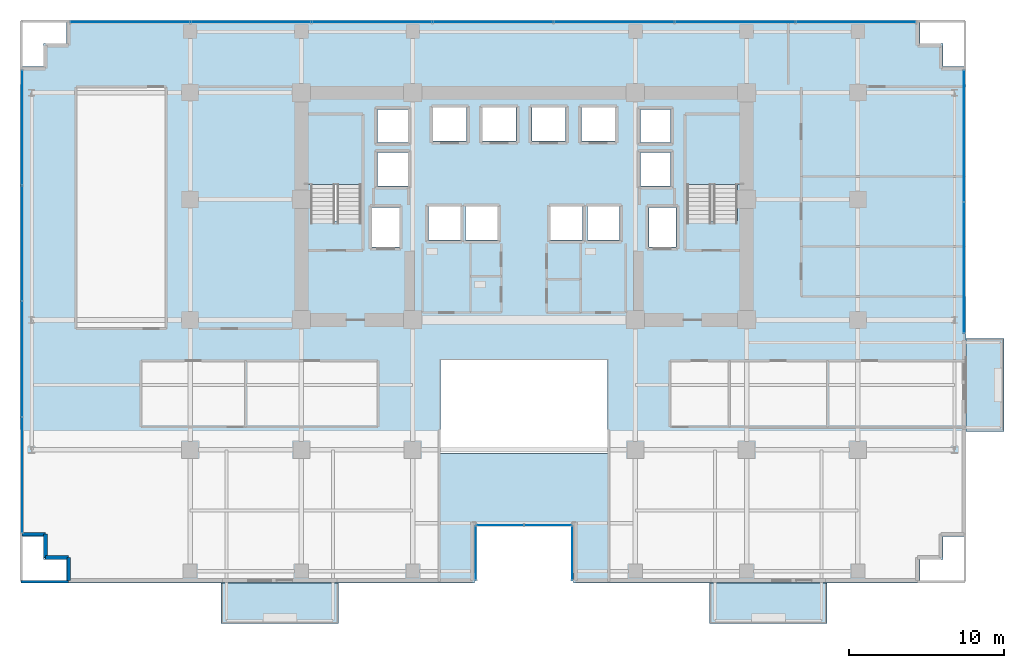
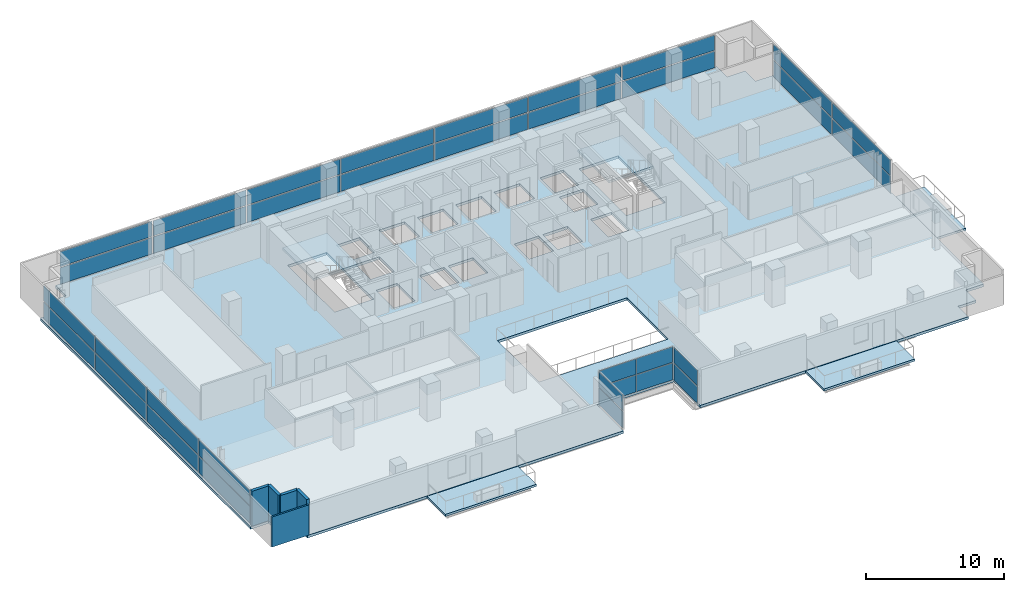
# One storey, part 21 of 30: 34 plates, 6 slabs, 5 walls, 8 elements without a shape of their own.
"""IFC4 building model written with IfcOpenShell, lengths in metres."""

from ifc_helpers import new_model, si_unit, direction, frame, frame_2d, origin, origin_2d, place, context, subcontext, project, spatial, polyline, rectangle, outline, extrude, source, transform, mapped, material, layer, layer_set, type_object, element, aggregate, save


model = new_model("IFC4")

# Units and contexts
model_context = context("Model", 3, precision=1e-05, world=origin(), true_north=direction((0.0, 1.0)))
body_context = subcontext(model_context, "Body", "Model", "MODEL_VIEW")
ifc_project = project(units=[si_unit("LENGTHUNIT", "METRE"), si_unit("AREAUNIT", "SQUARE_METRE"), si_unit("VOLUMEUNIT", "CUBIC_METRE"), si_unit("PLANEANGLEUNIT", "RADIAN"), si_unit("MASSUNIT", "GRAM", prefix="KILO")], contexts=[model_context])

# Site, building, storey
site_placement = place(None, origin())
site = spatial("IfcSite", under=ifc_project, at=site_placement, CompositionType="ELEMENT")
building_placement = place(site_placement, origin())
building = spatial("IfcBuilding", under=site, at=building_placement, Name="Zarnakvel Exchange Tower", CompositionType="ELEMENT")
storey_placement = place(building_placement, frame((0.0, 0.0, 43.89990234375)))
storey = spatial("IfcBuildingStorey", under=building, at=storey_placement, Name="L11", CompositionType="ELEMENT", Elevation=43.89990234375)

# Stair, slab
ifc_material_1 = material(Name="Concrete C40/50", Category="concrete")
stair_type = type_object("IfcStairType", Name="STR-01", PredefinedType="HALF_TURN_STAIR", material=ifc_material_1)
stair_1_placement = place(storey_placement, origin())
stair_1 = element("IfcStair", 1, at=stair_1_placement, inside=storey, type_object=stair_type, Name="L11 Protected Core Exit Stair ST-01", PredefinedType="HALF_TURN_STAIR")
ifc_layer_1 = layer(ifc_material_1, 0.199951171875)
ifc_layer_set_1 = layer_set([ifc_layer_1], Name="Concrete C40/50")
slab_type_1 = type_object("IfcSlabType", Name="LDG-01", PredefinedType="LANDING", material=ifc_layer_set_1)
slab_1_placement = place(storey_placement, frame((0.0, 0.0, 1.4501953125)))
slab_1 = element("IfcSlab", 2, at=slab_1_placement, type_object=slab_type_1, Name="ST-01 landing 1", PredefinedType="LANDING", context=body_context, shape_type="SweptSolid", body=[
    extrude(outline(polyline([(-14.18994140625, 7.570068359375), (-10.4599609375, 7.570068359375), (-10.4599609375, 12.080078125), (-14.18994140625, 12.080078125), (-14.18994140625, 7.570068359375)])), origin(), (0.0, 0.0, 1.0), 0.199951171875),
])
aggregate(stair_1, [slab_1])

stair_2_placement = place(storey_placement, origin())
stair_2 = element("IfcStair", 3, at=stair_2_placement, inside=storey, type_object=stair_type, Name="L11 Protected Core Exit Stair ST-02", PredefinedType="HALF_TURN_STAIR")
slab_2_placement = place(storey_placement, frame((0.0, 0.0, 1.4501953125)))
slab_2 = element("IfcSlab", 4, at=slab_2_placement, type_object=slab_type_1, Name="ST-02 landing 1", PredefinedType="LANDING", context=body_context, shape_type="SweptSolid", body=[
    extrude(outline(polyline([(10.4599609375, 7.570068359375), (14.18994140625, 7.570068359375), (14.18994140625, 12.080078125), (10.4599609375, 12.080078125), (10.4599609375, 7.570068359375)])), origin(), (0.0, 0.0, 1.0), 0.199951171875),
])
aggregate(stair_2, [slab_2])

# Slabs
ifc_layer_2 = layer(ifc_material_1, 0.22509765625)
ifc_layer_set_2 = layer_set([ifc_layer_2], Name="Concrete C40/50")
slab_type_2 = type_object("IfcSlabType", Name="SL-04", PredefinedType="FLOOR", material=ifc_layer_set_2)
slab_3_placement = place(storey_placement, frame((0.0, 0.0, -0.224853515625)))
element("IfcSlab", 5, at=slab_3_placement, inside=storey, type_object=slab_type_2, Name="L11 Primary Structural Floor Slab", PredefinedType="FLOOR", context=body_context, shape_type="SweptSolid", body=[
    extrude(outline(polyline([(-32.60009765625, -15.199951171875), (-31.10009765625, -15.199951171875), (-31.10009765625, -16.699951171875), (-29.60009765625, -16.699951171875), (-29.60009765625, -18.199951171875), (-3.199951171875, -18.199951171875), (-3.199951171875, -14.39990234375), (3.199951171875, -14.39990234375), (3.199951171875, -18.199951171875), (25.60009765625, -18.199951171875), (25.60009765625, -16.699951171875), (27.10009765625, -16.699951171875), (27.10009765625, -15.199951171875), (28.60009765625, -15.199951171875), (28.60009765625, 15.199951171875), (27.10009765625, 15.199951171875), (27.10009765625, 16.699951171875), (25.60009765625, 16.699951171875), (25.60009765625, 18.199951171875), (-29.60009765625, 18.199951171875), (-29.60009765625, 16.699951171875), (-31.10009765625, 16.699951171875), (-31.10009765625, 15.199951171875), (-32.60009765625, 15.199951171875), (-32.60009765625, -15.199951171875)]), holes=[polyline([(-5.39990234375, -9.800048828125), (5.39990234375, -9.800048828125), (5.39990234375, -3.800048828125), (-5.39990234375, -3.800048828125), (-5.39990234375, -9.800048828125)]), polyline([(-13.800048828125, 5.2099609375), (-10.5400390625, 5.2099609375), (-10.5400390625, 12.0), (-13.800048828125, 12.0), (-13.800048828125, 5.2099609375)]), polyline([(10.5400390625, 5.2099609375), (13.800048828125, 5.2099609375), (13.800048828125, 12.0), (10.5400390625, 12.0), (10.5400390625, 5.2099609375)]), polyline([(-9.830078125, 3.52001953125), (-8.070068359375, 3.52001953125), (-8.070068359375, 6.080078125), (-9.830078125, 6.080078125), (-9.830078125, 3.52001953125)]), polyline([(8.070068359375, 3.52001953125), (9.830078125, 3.52001953125), (9.830078125, 6.080078125), (8.070068359375, 6.080078125), (8.070068359375, 3.52001953125)]), polyline([(-5.8798828125, 10.3701171875), (-3.719970703125, 10.3701171875), (-3.719970703125, 12.530029296875), (-5.8798828125, 12.530029296875), (-5.8798828125, 10.3701171875)]), polyline([(-2.679931640625, 10.3701171875), (-0.52001953125, 10.3701171875), (-0.52001953125, 12.530029296875), (-2.679931640625, 12.530029296875), (-2.679931640625, 10.3701171875)]), polyline([(0.52001953125, 10.3701171875), (2.679931640625, 10.3701171875), (2.679931640625, 12.530029296875), (0.52001953125, 12.530029296875), (0.52001953125, 10.3701171875)]), polyline([(3.719970703125, 10.3701171875), (5.8798828125, 10.3701171875), (5.8798828125, 12.530029296875), (3.719970703125, 12.530029296875), (3.719970703125, 10.3701171875)]), polyline([(-6.179931640625, 3.969970703125), (-4.1201171875, 3.969970703125), (-4.1201171875, 6.1298828125), (-6.179931640625, 6.1298828125), (-6.179931640625, 3.969970703125)]), polyline([(-3.780029296875, 3.969970703125), (-1.719970703125, 3.969970703125), (-1.719970703125, 6.1298828125), (-3.780029296875, 6.1298828125), (-3.780029296875, 3.969970703125)]), polyline([(1.719970703125, 3.969970703125), (3.780029296875, 3.969970703125), (3.780029296875, 6.1298828125), (1.719970703125, 6.1298828125), (1.719970703125, 3.969970703125)]), polyline([(4.1201171875, 3.969970703125), (6.179931640625, 3.969970703125), (6.179931640625, 6.1298828125), (4.1201171875, 6.1298828125), (4.1201171875, 3.969970703125)]), polyline([(-9.47998046875, 7.469970703125), (-7.52001953125, 7.469970703125), (-7.52001953125, 9.6298828125), (-9.47998046875, 9.6298828125), (-9.47998046875, 7.469970703125)]), polyline([(-9.47998046875, 10.27001953125), (-7.52001953125, 10.27001953125), (-7.52001953125, 12.429931640625), (-9.47998046875, 12.429931640625), (-9.47998046875, 10.27001953125)]), polyline([(7.52001953125, 7.469970703125), (9.47998046875, 7.469970703125), (9.47998046875, 9.6298828125), (7.52001953125, 9.6298828125), (7.52001953125, 7.469970703125)]), polyline([(7.52001953125, 10.27001953125), (9.47998046875, 10.27001953125), (9.47998046875, 12.429931640625), (7.52001953125, 12.429931640625), (7.52001953125, 10.27001953125)])]), origin(), (0.0, 0.0, 1.0), 0.224853515625),
])
ifc_layer_3 = layer(ifc_material_1, 0.18994140625)
ifc_layer_set_3 = layer_set([ifc_layer_3], Name="Concrete C40/50")
slab_type_3 = type_object("IfcSlabType", Name="SL-08", PredefinedType="USERDEFINED", material=ifc_layer_set_3)
slab_4_placement = place(storey_placement, frame((0.0, 0.0, -0.224853515625)))
element("IfcSlab", 6, at=slab_4_placement, inside=storey, type_object=slab_type_3, Name="L11 Planted Loggia Balcony Slab BAL-L11-SW", ObjectType="BALCONY", PredefinedType="USERDEFINED", context=body_context, shape_type="SweptSolid", body=[
    extrude(outline(polyline([(-19.60009765625, -20.85009765625), (-12.0, -20.85009765625), (-12.0, -18.199951171875), (-19.60009765625, -18.199951171875), (-19.60009765625, -20.85009765625)])), origin(), (0.0, 0.0, 1.0), 0.18994140625),
])
slab_5_placement = place(storey_placement, frame((0.0, 0.0, -0.224853515625)))
element("IfcSlab", 7, at=slab_5_placement, inside=storey, type_object=slab_type_3, Name="L11 Planted Loggia Balcony Slab BAL-L11-SE", ObjectType="BALCONY", PredefinedType="USERDEFINED", context=body_context, shape_type="SweptSolid", body=[
    extrude(outline(polyline([(12.0, -20.85009765625), (19.60009765625, -20.85009765625), (19.60009765625, -18.199951171875), (12.0, -18.199951171875), (12.0, -20.85009765625)])), origin(), (0.0, 0.0, 1.0), 0.18994140625),
])
slab_6_placement = place(storey_placement, frame((0.0, 0.0, -0.224853515625)))
element("IfcSlab", 8, at=slab_6_placement, inside=storey, type_object=slab_type_3, Name="L11 Planted Loggia Balcony Slab BAL-L11-E", ObjectType="BALCONY", PredefinedType="USERDEFINED", context=body_context, shape_type="SweptSolid", body=[
    extrude(outline(polyline([(28.60009765625, -8.39990234375), (31.050048828125, -8.39990234375), (31.050048828125, -2.39990234375), (28.60009765625, -2.39990234375), (28.60009765625, -8.39990234375)])), origin(), (0.0, 0.0, 1.0), 0.18994140625),
])

# Curtain wall, plate
ifc_material_2 = material(Name="Architectural Bronze Anodised Aluminium", Category="aluminium")
ifc_layer_4 = layer(ifc_material_2, 0.179931640625)
ifc_layer_set_4 = layer_set([ifc_layer_4], Name="Architectural Bronze Anodised Aluminium")
curtain_wall_type_1 = type_object("IfcCurtainWallType", Name="CW-05", PredefinedType="NOTDEFINED", material=ifc_layer_set_4)
curtain_wall_1_placement = place(storey_placement, origin())
curtain_wall_1 = element("IfcCurtainWall", 9, at=curtain_wall_1_placement, inside=storey, type_object=curtain_wall_type_1, Name="L11 Curtain Wall CW-L11-SLW (CW-05)", PredefinedType="NOTDEFINED")
ifc_material_3 = material(Name="Double Low-E Laminated Vision Glass", Category="glass")
ifc_layer_5 = layer(ifc_material_3, 0.02587890625)
ifc_layer_set_5 = layer_set([ifc_layer_5], Name="Double Low-E Laminated Vision Glass")
plate_type_1 = type_object("IfcPlateType", Name="CWP-05", PredefinedType="CURTAIN_PANEL", material=ifc_layer_set_5)
shared_shape_1 = source(origin(), body_context, "Body", "SweptSolid", [
    extrude(rectangle(XDim=3.4599609375, YDim=0.02587890625, at=origin_2d()), origin(), (0.0, 0.0, 1.0), 1.483642578125),
])
plate_1_placement = place(storey_placement, frame((-3.1201171875, -16.280029296875, 0.0703125), z_axis=(0.0, 0.0, 1.0), x_axis=(0.0, 1.0, 0.0)))
plate_1 = element("IfcPlate", 10, at=plate_1_placement, type_object=plate_type_1, Name="CW-05 panel 1.1", PredefinedType="CURTAIN_PANEL", context=body_context, shape_type="MappedRepresentation", body=[
    mapped(shared_shape_1, transform((0.0, 0.0, 0.0), x_axis=(1.0, 0.0, 0.0), y_axis=(0.0, 1.0, 0.0), z_axis=(0.0, 0.0, 1.0), scale=1.0)),
])

curtain_wall_2_placement = place(storey_placement, origin())
curtain_wall_2 = element("IfcCurtainWall", 11, at=curtain_wall_2_placement, inside=storey, type_object=curtain_wall_type_1, Name="L11 Curtain Wall CW-L11-SLE (CW-05)", PredefinedType="NOTDEFINED")
plate_2_placement = place(storey_placement, frame((3.1201171875, -16.280029296875, 0.0703125), z_axis=(0.0, 0.0, 1.0), x_axis=(0.0, -1.0, 0.0)))
plate_2 = element("IfcPlate", 12, at=plate_2_placement, type_object=plate_type_1, Name="CW-05 panel 1.1", PredefinedType="CURTAIN_PANEL", context=body_context, shape_type="MappedRepresentation", body=[
    mapped(shared_shape_1, transform((0.0, 0.0, 0.0), x_axis=(1.0, 0.0, 0.0), y_axis=(0.0, 1.0, 0.0), z_axis=(0.0, 0.0, 1.0), scale=1.0)),
])

# Plate
shared_shape_2 = source(origin(), body_context, "Body", "SweptSolid", [
    extrude(rectangle(XDim=3.4599609375, YDim=0.02587890625, at=origin_2d()), origin(), (0.0, 0.0, 1.0), 1.361328125),
])
plate_3_placement = place(storey_placement, frame((-3.1201171875, -16.280029296875, 1.623779296875), z_axis=(0.0, 0.0, 1.0), x_axis=(0.0, 1.0, 0.0)))
plate_3 = element("IfcPlate", 13, at=plate_3_placement, type_object=plate_type_1, Name="CW-05 panel 1.2", PredefinedType="CURTAIN_PANEL", context=body_context, shape_type="MappedRepresentation", body=[
    mapped(shared_shape_2, transform((0.0, 0.0, 0.0), x_axis=(1.0, 0.0, 0.0), y_axis=(0.0, 1.0, 0.0), z_axis=(0.0, 0.0, 1.0), scale=1.0)),
])

aggregate(curtain_wall_1, [plate_1, plate_3])

plate_4_placement = place(storey_placement, frame((3.1201171875, -16.280029296875, 1.623779296875), z_axis=(0.0, 0.0, 1.0), x_axis=(0.0, -1.0, 0.0)))
plate_4 = element("IfcPlate", 14, at=plate_4_placement, type_object=plate_type_1, Name="CW-05 panel 1.2", PredefinedType="CURTAIN_PANEL", context=body_context, shape_type="MappedRepresentation", body=[
    mapped(shared_shape_2, transform((0.0, 0.0, 0.0), x_axis=(1.0, 0.0, 0.0), y_axis=(0.0, 1.0, 0.0), z_axis=(0.0, 0.0, 1.0), scale=1.0)),
])

aggregate(curtain_wall_2, [plate_2, plate_4])

# Curtain wall, plates
curtain_wall_3_placement = place(storey_placement, origin())
curtain_wall_3 = element("IfcCurtainWall", 15, at=curtain_wall_3_placement, inside=storey, type_object=curtain_wall_type_1, Name="L11 Curtain Wall CW-L11-SLB (CW-05)", PredefinedType="NOTDEFINED")
shared_shape_3 = source(origin(), body_context, "Body", "SweptSolid", [
    extrude(rectangle(XDim=3.014892578125, YDim=0.02587890625, at=origin_2d()), origin(), (0.0, 0.0, 1.0), 1.483642578125),
])
plate_5_placement = place(storey_placement, frame((-1.54248046875, -14.47998046875, 0.0703125), z_axis=(0.0, 0.0, 1.0), x_axis=(1.0, 0.0, 0.0)))
plate_5 = element("IfcPlate", 16, at=plate_5_placement, type_object=plate_type_1, Name="CW-05 panel 1.1", PredefinedType="CURTAIN_PANEL", context=body_context, shape_type="MappedRepresentation", body=[
    mapped(shared_shape_3, transform((0.0, 0.0, 0.0), x_axis=(1.0, 0.0, 0.0), y_axis=(0.0, 1.0, 0.0), z_axis=(0.0, 0.0, 1.0), scale=1.0)),
])
plate_6_placement = place(storey_placement, frame((1.54248046875, -14.47998046875, 0.0703125), z_axis=(0.0, 0.0, 1.0), x_axis=(1.0, 0.0, 0.0)))
plate_6 = element("IfcPlate", 17, at=plate_6_placement, type_object=plate_type_1, Name="CW-05 panel 2.1", PredefinedType="CURTAIN_PANEL", context=body_context, shape_type="MappedRepresentation", body=[
    mapped(shared_shape_3, transform((0.0, 0.0, 0.0), x_axis=(1.0, 0.0, 0.0), y_axis=(0.0, 1.0, 0.0), z_axis=(0.0, 0.0, 1.0), scale=1.0)),
])
shared_shape_4 = source(origin(), body_context, "Body", "SweptSolid", [
    extrude(rectangle(XDim=3.014892578125, YDim=0.02587890625, at=origin_2d()), origin(), (0.0, 0.0, 1.0), 1.361328125),
])
plate_7_placement = place(storey_placement, frame((-1.54248046875, -14.47998046875, 1.623779296875), z_axis=(0.0, 0.0, 1.0), x_axis=(1.0, 0.0, 0.0)))
plate_7 = element("IfcPlate", 18, at=plate_7_placement, type_object=plate_type_1, Name="CW-05 panel 1.2", PredefinedType="CURTAIN_PANEL", context=body_context, shape_type="MappedRepresentation", body=[
    mapped(shared_shape_4, transform((0.0, 0.0, 0.0), x_axis=(1.0, 0.0, 0.0), y_axis=(0.0, 1.0, 0.0), z_axis=(0.0, 0.0, 1.0), scale=1.0)),
])
plate_8_placement = place(storey_placement, frame((1.54248046875, -14.47998046875, 1.623779296875), z_axis=(0.0, 0.0, 1.0), x_axis=(1.0, 0.0, 0.0)))
plate_8 = element("IfcPlate", 19, at=plate_8_placement, type_object=plate_type_1, Name="CW-05 panel 2.2", PredefinedType="CURTAIN_PANEL", context=body_context, shape_type="MappedRepresentation", body=[
    mapped(shared_shape_4, transform((0.0, 0.0, 0.0), x_axis=(1.0, 0.0, 0.0), y_axis=(0.0, 1.0, 0.0), z_axis=(0.0, 0.0, 1.0), scale=1.0)),
])
aggregate(curtain_wall_3, [plate_5, plate_7, plate_6, plate_8])

ifc_layer_6 = layer(ifc_material_2, 0.239990234375)
ifc_layer_set_6 = layer_set([ifc_layer_6], Name="Architectural Bronze Anodised Aluminium")
curtain_wall_type_2 = type_object("IfcCurtainWallType", Name="CW-02", PredefinedType="NOTDEFINED", material=ifc_layer_set_6)
curtain_wall_4_placement = place(storey_placement, origin())
curtain_wall_4 = element("IfcCurtainWall", 20, at=curtain_wall_4_placement, inside=storey, type_object=curtain_wall_type_2, Name="L11 Curtain Wall CW-L11-N1 (CW-02)", PredefinedType="NOTDEFINED")
ifc_layer_7 = layer(ifc_material_3, 0.031982421875)
ifc_layer_set_7 = layer_set([ifc_layer_7], Name="Double Low-E Laminated Vision Glass")
plate_type_2 = type_object("IfcPlateType", Name="CWP-02", PredefinedType="CURTAIN_PANEL", material=ifc_layer_set_7)
shared_shape_5 = source(origin(), body_context, "Body", "SweptSolid", [
    extrude(rectangle(XDim=7.693603515625, YDim=0.031982421875, at=origin_2d()), origin(), (0.0, 0.0, 1.0), 1.461181640625),
])
plate_9_placement = place(storey_placement, frame((-25.463134765625, 18.06005859375, 0.0849609375), z_axis=(0.0, 0.0, 1.0), x_axis=(1.0, 0.0, 0.0)))
plate_9 = element("IfcPlate", 21, at=plate_9_placement, type_object=plate_type_2, Name="CW-02 panel 1.1", PredefinedType="CURTAIN_PANEL", context=body_context, shape_type="MappedRepresentation", body=[
    mapped(shared_shape_5, transform((0.0, 0.0, 0.0), x_axis=(1.0, 0.0, 0.0), y_axis=(0.0, 1.0, 0.0), z_axis=(0.0, 0.0, 1.0), scale=1.0)),
])
plate_10_placement = place(storey_placement, frame((21.463134765625, 18.06005859375, 0.0849609375), z_axis=(0.0, 0.0, 1.0), x_axis=(1.0, 0.0, 0.0)))
plate_10 = element("IfcPlate", 22, at=plate_10_placement, type_object=plate_type_2, Name="CW-02 panel 7.1", PredefinedType="CURTAIN_PANEL", context=body_context, shape_type="MappedRepresentation", body=[
    mapped(shared_shape_5, transform((0.0, 0.0, 0.0), x_axis=(1.0, 0.0, 0.0), y_axis=(0.0, 1.0, 0.0), z_axis=(0.0, 0.0, 1.0), scale=1.0)),
])
shared_shape_6 = source(origin(), body_context, "Body", "SweptSolid", [
    extrude(rectangle(XDim=7.693603515625, YDim=0.031982421875, at=origin_2d()), origin(), (0.0, 0.0, 1.0), 1.3388671875),
])
plate_11_placement = place(storey_placement, frame((-25.463134765625, 18.06005859375, 1.631103515625), z_axis=(0.0, 0.0, 1.0), x_axis=(1.0, 0.0, 0.0)))
plate_11 = element("IfcPlate", 23, at=plate_11_placement, type_object=plate_type_2, Name="CW-02 panel 1.2", PredefinedType="CURTAIN_PANEL", context=body_context, shape_type="MappedRepresentation", body=[
    mapped(shared_shape_6, transform((0.0, 0.0, 0.0), x_axis=(1.0, 0.0, 0.0), y_axis=(0.0, 1.0, 0.0), z_axis=(0.0, 0.0, 1.0), scale=1.0)),
])
plate_12_placement = place(storey_placement, frame((21.463134765625, 18.06005859375, 1.631103515625), z_axis=(0.0, 0.0, 1.0), x_axis=(1.0, 0.0, 0.0)))
plate_12 = element("IfcPlate", 24, at=plate_12_placement, type_object=plate_type_2, Name="CW-02 panel 7.2", PredefinedType="CURTAIN_PANEL", context=body_context, shape_type="MappedRepresentation", body=[
    mapped(shared_shape_6, transform((0.0, 0.0, 0.0), x_axis=(1.0, 0.0, 0.0), y_axis=(0.0, 1.0, 0.0), z_axis=(0.0, 0.0, 1.0), scale=1.0)),
])
shared_shape_7 = source(origin(), body_context, "Body", "SweptSolid", [
    extrude(rectangle(XDim=7.738525390625, YDim=0.031982421875, at=origin_2d()), origin(), (0.0, 0.0, 1.0), 1.461181640625),
])
plate_13_placement = place(storey_placement, frame((-17.6572265625, 18.06005859375, 0.0849609375), z_axis=(0.0, 0.0, 1.0), x_axis=(1.0, 0.0, 0.0)))
plate_13 = element("IfcPlate", 25, at=plate_13_placement, type_object=plate_type_2, Name="CW-02 panel 2.1", PredefinedType="CURTAIN_PANEL", context=body_context, shape_type="MappedRepresentation", body=[
    mapped(shared_shape_7, transform((0.0, 0.0, 0.0), x_axis=(1.0, 0.0, 0.0), y_axis=(0.0, 1.0, 0.0), z_axis=(0.0, 0.0, 1.0), scale=1.0)),
])
plate_14_placement = place(storey_placement, frame((-9.82861328125, 18.06005859375, 0.0849609375), z_axis=(0.0, 0.0, 1.0), x_axis=(1.0, 0.0, 0.0)))
plate_14 = element("IfcPlate", 26, at=plate_14_placement, type_object=plate_type_2, Name="CW-02 panel 3.1", PredefinedType="CURTAIN_PANEL", context=body_context, shape_type="MappedRepresentation", body=[
    mapped(shared_shape_7, transform((0.0, 0.0, 0.0), x_axis=(1.0, 0.0, 0.0), y_axis=(0.0, 1.0, 0.0), z_axis=(0.0, 0.0, 1.0), scale=1.0)),
])
plate_15_placement = place(storey_placement, frame((-2.0, 18.06005859375, 0.0849609375), z_axis=(0.0, 0.0, 1.0), x_axis=(1.0, 0.0, 0.0)))
plate_15 = element("IfcPlate", 27, at=plate_15_placement, type_object=plate_type_2, Name="CW-02 panel 4.1", PredefinedType="CURTAIN_PANEL", context=body_context, shape_type="MappedRepresentation", body=[
    mapped(shared_shape_7, transform((0.0, 0.0, 0.0), x_axis=(1.0, 0.0, 0.0), y_axis=(0.0, 1.0, 0.0), z_axis=(0.0, 0.0, 1.0), scale=1.0)),
])
plate_16_placement = place(storey_placement, frame((5.82861328125, 18.06005859375, 0.0849609375), z_axis=(0.0, 0.0, 1.0), x_axis=(1.0, 0.0, 0.0)))
plate_16 = element("IfcPlate", 28, at=plate_16_placement, type_object=plate_type_2, Name="CW-02 panel 5.1", PredefinedType="CURTAIN_PANEL", context=body_context, shape_type="MappedRepresentation", body=[
    mapped(shared_shape_7, transform((0.0, 0.0, 0.0), x_axis=(1.0, 0.0, 0.0), y_axis=(0.0, 1.0, 0.0), z_axis=(0.0, 0.0, 1.0), scale=1.0)),
])
plate_17_placement = place(storey_placement, frame((13.6572265625, 18.06005859375, 0.0849609375), z_axis=(0.0, 0.0, 1.0), x_axis=(1.0, 0.0, 0.0)))
plate_17 = element("IfcPlate", 29, at=plate_17_placement, type_object=plate_type_2, Name="CW-02 panel 6.1", PredefinedType="CURTAIN_PANEL", context=body_context, shape_type="MappedRepresentation", body=[
    mapped(shared_shape_7, transform((0.0, 0.0, 0.0), x_axis=(1.0, 0.0, 0.0), y_axis=(0.0, 1.0, 0.0), z_axis=(0.0, 0.0, 1.0), scale=1.0)),
])
shared_shape_8 = source(origin(), body_context, "Body", "SweptSolid", [
    extrude(rectangle(XDim=7.738525390625, YDim=0.031982421875, at=origin_2d()), origin(), (0.0, 0.0, 1.0), 1.3388671875),
])
plate_18_placement = place(storey_placement, frame((-17.6572265625, 18.06005859375, 1.631103515625), z_axis=(0.0, 0.0, 1.0), x_axis=(1.0, 0.0, 0.0)))
plate_18 = element("IfcPlate", 30, at=plate_18_placement, type_object=plate_type_2, Name="CW-02 panel 2.2", PredefinedType="CURTAIN_PANEL", context=body_context, shape_type="MappedRepresentation", body=[
    mapped(shared_shape_8, transform((0.0, 0.0, 0.0), x_axis=(1.0, 0.0, 0.0), y_axis=(0.0, 1.0, 0.0), z_axis=(0.0, 0.0, 1.0), scale=1.0)),
])
plate_19_placement = place(storey_placement, frame((-9.82861328125, 18.06005859375, 1.631103515625), z_axis=(0.0, 0.0, 1.0), x_axis=(1.0, 0.0, 0.0)))
plate_19 = element("IfcPlate", 31, at=plate_19_placement, type_object=plate_type_2, Name="CW-02 panel 3.2", PredefinedType="CURTAIN_PANEL", context=body_context, shape_type="MappedRepresentation", body=[
    mapped(shared_shape_8, transform((0.0, 0.0, 0.0), x_axis=(1.0, 0.0, 0.0), y_axis=(0.0, 1.0, 0.0), z_axis=(0.0, 0.0, 1.0), scale=1.0)),
])
plate_20_placement = place(storey_placement, frame((-2.0, 18.06005859375, 1.631103515625), z_axis=(0.0, 0.0, 1.0), x_axis=(1.0, 0.0, 0.0)))
plate_20 = element("IfcPlate", 32, at=plate_20_placement, type_object=plate_type_2, Name="CW-02 panel 4.2", PredefinedType="CURTAIN_PANEL", context=body_context, shape_type="MappedRepresentation", body=[
    mapped(shared_shape_8, transform((0.0, 0.0, 0.0), x_axis=(1.0, 0.0, 0.0), y_axis=(0.0, 1.0, 0.0), z_axis=(0.0, 0.0, 1.0), scale=1.0)),
])
plate_21_placement = place(storey_placement, frame((5.82861328125, 18.06005859375, 1.631103515625), z_axis=(0.0, 0.0, 1.0), x_axis=(1.0, 0.0, 0.0)))
plate_21 = element("IfcPlate", 33, at=plate_21_placement, type_object=plate_type_2, Name="CW-02 panel 5.2", PredefinedType="CURTAIN_PANEL", context=body_context, shape_type="MappedRepresentation", body=[
    mapped(shared_shape_8, transform((0.0, 0.0, 0.0), x_axis=(1.0, 0.0, 0.0), y_axis=(0.0, 1.0, 0.0), z_axis=(0.0, 0.0, 1.0), scale=1.0)),
])
plate_22_placement = place(storey_placement, frame((13.6572265625, 18.06005859375, 1.631103515625), z_axis=(0.0, 0.0, 1.0), x_axis=(1.0, 0.0, 0.0)))
plate_22 = element("IfcPlate", 34, at=plate_22_placement, type_object=plate_type_2, Name="CW-02 panel 6.2", PredefinedType="CURTAIN_PANEL", context=body_context, shape_type="MappedRepresentation", body=[
    mapped(shared_shape_8, transform((0.0, 0.0, 0.0), x_axis=(1.0, 0.0, 0.0), y_axis=(0.0, 1.0, 0.0), z_axis=(0.0, 0.0, 1.0), scale=1.0)),
])
aggregate(curtain_wall_4, [plate_9, plate_11, plate_13, plate_18, plate_14, plate_19, plate_15, plate_20, plate_16, plate_21, plate_17, plate_22, plate_10, plate_12])

ifc_layer_8 = layer(ifc_material_2, 0.199951171875)
ifc_layer_set_8 = layer_set([ifc_layer_8], Name="Architectural Bronze Anodised Aluminium")
curtain_wall_type_3 = type_object("IfcCurtainWallType", Name="CW-04", PredefinedType="NOTDEFINED", material=ifc_layer_set_8)
curtain_wall_5_placement = place(storey_placement, origin())
curtain_wall_5 = element("IfcCurtainWall", 35, at=curtain_wall_5_placement, inside=storey, type_object=curtain_wall_type_3, Name="L11 Curtain Wall CW-L11-EN (CW-04)", PredefinedType="NOTDEFINED")
ifc_layer_9 = layer(ifc_material_3, 0.028076171875)
ifc_layer_set_9 = layer_set([ifc_layer_9], Name="Double Low-E Laminated Vision Glass")
plate_type_3 = type_object("IfcPlateType", Name="CWP-04", PredefinedType="CURTAIN_PANEL", material=ifc_layer_set_9)
shared_shape_9 = source(origin(), body_context, "Body", "SweptSolid", [
    extrude(rectangle(XDim=8.4375, YDim=0.028076171875, at=origin_2d()), origin(), (0.0, 0.0, 1.0), 1.47607421875),
])
plate_23_placement = place(storey_placement, frame((28.4599609375, 2.19384765625, 0.0751953125), z_axis=(0.0, 0.0, 1.0), x_axis=(0.0, 1.0, 0.0)))
plate_23 = element("IfcPlate", 36, at=plate_23_placement, type_object=plate_type_3, Name="CW-04 panel 1.1", PredefinedType="CURTAIN_PANEL", context=body_context, shape_type="MappedRepresentation", body=[
    mapped(shared_shape_9, transform((0.0, 0.0, 0.0), x_axis=(1.0, 0.0, 0.0), y_axis=(0.0, 1.0, 0.0), z_axis=(0.0, 0.0, 1.0), scale=1.0)),
])
plate_24_placement = place(storey_placement, frame((28.4599609375, 10.706298828125, 0.0751953125), z_axis=(0.0, 0.0, 1.0), x_axis=(0.0, 1.0, 0.0)))
plate_24 = element("IfcPlate", 37, at=plate_24_placement, type_object=plate_type_3, Name="CW-04 panel 2.1", PredefinedType="CURTAIN_PANEL", context=body_context, shape_type="MappedRepresentation", body=[
    mapped(shared_shape_9, transform((0.0, 0.0, 0.0), x_axis=(1.0, 0.0, 0.0), y_axis=(0.0, 1.0, 0.0), z_axis=(0.0, 0.0, 1.0), scale=1.0)),
])
shared_shape_10 = source(origin(), body_context, "Body", "SweptSolid", [
    extrude(rectangle(XDim=8.4375, YDim=0.028076171875, at=origin_2d()), origin(), (0.0, 0.0, 1.0), 1.35400390625),
])
plate_25_placement = place(storey_placement, frame((28.4599609375, 2.19384765625, 1.626220703125), z_axis=(0.0, 0.0, 1.0), x_axis=(0.0, 1.0, 0.0)))
plate_25 = element("IfcPlate", 38, at=plate_25_placement, type_object=plate_type_3, Name="CW-04 panel 1.2", PredefinedType="CURTAIN_PANEL", context=body_context, shape_type="MappedRepresentation", body=[
    mapped(shared_shape_10, transform((0.0, 0.0, 0.0), x_axis=(1.0, 0.0, 0.0), y_axis=(0.0, 1.0, 0.0), z_axis=(0.0, 0.0, 1.0), scale=1.0)),
])
plate_26_placement = place(storey_placement, frame((28.4599609375, 10.706298828125, 1.626220703125), z_axis=(0.0, 0.0, 1.0), x_axis=(0.0, 1.0, 0.0)))
plate_26 = element("IfcPlate", 39, at=plate_26_placement, type_object=plate_type_3, Name="CW-04 panel 2.2", PredefinedType="CURTAIN_PANEL", context=body_context, shape_type="MappedRepresentation", body=[
    mapped(shared_shape_10, transform((0.0, 0.0, 0.0), x_axis=(1.0, 0.0, 0.0), y_axis=(0.0, 1.0, 0.0), z_axis=(0.0, 0.0, 1.0), scale=1.0)),
])
aggregate(curtain_wall_5, [plate_23, plate_25, plate_24, plate_26])

curtain_wall_6_placement = place(storey_placement, origin())
curtain_wall_6 = element("IfcCurtainWall", 40, at=curtain_wall_6_placement, inside=storey, type_object=curtain_wall_type_3, Name="L11 Curtain Wall CW-L11-W1 (CW-04)", PredefinedType="NOTDEFINED")
shared_shape_11 = source(origin(), body_context, "Body", "SweptSolid", [
    extrude(rectangle(XDim=7.387451171875, YDim=0.028076171875, at=origin_2d()), origin(), (0.0, 0.0, 1.0), 1.47607421875),
])
plate_27_placement = place(storey_placement, frame((-32.4599609375, -11.231201171875, 0.0751953125), z_axis=(0.0, 0.0, 1.0), x_axis=(0.0, 1.0, 0.0)))
plate_27 = element("IfcPlate", 41, at=plate_27_placement, type_object=plate_type_3, Name="CW-04 panel 1.1", PredefinedType="CURTAIN_PANEL", context=body_context, shape_type="MappedRepresentation", body=[
    mapped(shared_shape_11, transform((0.0, 0.0, 0.0), x_axis=(1.0, 0.0, 0.0), y_axis=(0.0, 1.0, 0.0), z_axis=(0.0, 0.0, 1.0), scale=1.0)),
])
plate_28_placement = place(storey_placement, frame((-32.4599609375, 11.231201171875, 0.0751953125), z_axis=(0.0, 0.0, 1.0), x_axis=(0.0, 1.0, 0.0)))
plate_28 = element("IfcPlate", 42, at=plate_28_placement, type_object=plate_type_3, Name="CW-04 panel 4.1", PredefinedType="CURTAIN_PANEL", context=body_context, shape_type="MappedRepresentation", body=[
    mapped(shared_shape_11, transform((0.0, 0.0, 0.0), x_axis=(1.0, 0.0, 0.0), y_axis=(0.0, 1.0, 0.0), z_axis=(0.0, 0.0, 1.0), scale=1.0)),
])
shared_shape_12 = source(origin(), body_context, "Body", "SweptSolid", [
    extrude(rectangle(XDim=7.387451171875, YDim=0.028076171875, at=origin_2d()), origin(), (0.0, 0.0, 1.0), 1.35400390625),
])
plate_29_placement = place(storey_placement, frame((-32.4599609375, -11.231201171875, 1.626220703125), z_axis=(0.0, 0.0, 1.0), x_axis=(0.0, 1.0, 0.0)))
plate_29 = element("IfcPlate", 43, at=plate_29_placement, type_object=plate_type_3, Name="CW-04 panel 1.2", PredefinedType="CURTAIN_PANEL", context=body_context, shape_type="MappedRepresentation", body=[
    mapped(shared_shape_12, transform((0.0, 0.0, 0.0), x_axis=(1.0, 0.0, 0.0), y_axis=(0.0, 1.0, 0.0), z_axis=(0.0, 0.0, 1.0), scale=1.0)),
])
plate_30_placement = place(storey_placement, frame((-32.4599609375, 11.231201171875, 1.626220703125), z_axis=(0.0, 0.0, 1.0), x_axis=(0.0, 1.0, 0.0)))
plate_30 = element("IfcPlate", 44, at=plate_30_placement, type_object=plate_type_3, Name="CW-04 panel 4.2", PredefinedType="CURTAIN_PANEL", context=body_context, shape_type="MappedRepresentation", body=[
    mapped(shared_shape_12, transform((0.0, 0.0, 0.0), x_axis=(1.0, 0.0, 0.0), y_axis=(0.0, 1.0, 0.0), z_axis=(0.0, 0.0, 1.0), scale=1.0)),
])
shared_shape_13 = source(origin(), body_context, "Body", "SweptSolid", [
    extrude(rectangle(XDim=7.425048828125, YDim=0.028076171875, at=origin_2d()), origin(), (0.0, 0.0, 1.0), 1.47607421875),
])
plate_31_placement = place(storey_placement, frame((-32.4599609375, -3.75, 0.0751953125), z_axis=(0.0, 0.0, 1.0), x_axis=(0.0, 1.0, 0.0)))
plate_31 = element("IfcPlate", 45, at=plate_31_placement, type_object=plate_type_3, Name="CW-04 panel 2.1", PredefinedType="CURTAIN_PANEL", context=body_context, shape_type="MappedRepresentation", body=[
    mapped(shared_shape_13, transform((0.0, 0.0, 0.0), x_axis=(1.0, 0.0, 0.0), y_axis=(0.0, 1.0, 0.0), z_axis=(0.0, 0.0, 1.0), scale=1.0)),
])
plate_32_placement = place(storey_placement, frame((-32.4599609375, 3.75, 0.0751953125), z_axis=(0.0, 0.0, 1.0), x_axis=(0.0, 1.0, 0.0)))
plate_32 = element("IfcPlate", 46, at=plate_32_placement, type_object=plate_type_3, Name="CW-04 panel 3.1", PredefinedType="CURTAIN_PANEL", context=body_context, shape_type="MappedRepresentation", body=[
    mapped(shared_shape_13, transform((0.0, 0.0, 0.0), x_axis=(1.0, 0.0, 0.0), y_axis=(0.0, 1.0, 0.0), z_axis=(0.0, 0.0, 1.0), scale=1.0)),
])
shared_shape_14 = source(origin(), body_context, "Body", "SweptSolid", [
    extrude(rectangle(XDim=7.425048828125, YDim=0.028076171875, at=origin_2d()), origin(), (0.0, 0.0, 1.0), 1.35400390625),
])
plate_33_placement = place(storey_placement, frame((-32.4599609375, -3.75, 1.626220703125), z_axis=(0.0, 0.0, 1.0), x_axis=(0.0, 1.0, 0.0)))
plate_33 = element("IfcPlate", 47, at=plate_33_placement, type_object=plate_type_3, Name="CW-04 panel 2.2", PredefinedType="CURTAIN_PANEL", context=body_context, shape_type="MappedRepresentation", body=[
    mapped(shared_shape_14, transform((0.0, 0.0, 0.0), x_axis=(1.0, 0.0, 0.0), y_axis=(0.0, 1.0, 0.0), z_axis=(0.0, 0.0, 1.0), scale=1.0)),
])
plate_34_placement = place(storey_placement, frame((-32.4599609375, 3.75, 1.626220703125), z_axis=(0.0, 0.0, 1.0), x_axis=(0.0, 1.0, 0.0)))
plate_34 = element("IfcPlate", 48, at=plate_34_placement, type_object=plate_type_3, Name="CW-04 panel 3.2", PredefinedType="CURTAIN_PANEL", context=body_context, shape_type="MappedRepresentation", body=[
    mapped(shared_shape_14, transform((0.0, 0.0, 0.0), x_axis=(1.0, 0.0, 0.0), y_axis=(0.0, 1.0, 0.0), z_axis=(0.0, 0.0, 1.0), scale=1.0)),
])
aggregate(curtain_wall_6, [plate_27, plate_29, plate_31, plate_33, plate_32, plate_34, plate_28, plate_30])

# Walls
ifc_material_4 = material(Name="Precast concrete C40/50", Category="concrete")
ifc_layer_10 = layer(ifc_material_4, 0.239990234375)
ifc_layer_set_10 = layer_set([ifc_layer_10], Name="Precast concrete C40/50")
wall_type_1 = type_object("IfcWallType", Name="EW-02", PredefinedType="SOLIDWALL", material=ifc_layer_set_10)
for number, where, z_axis, x_axis, name in (
    (49, (-29.4599609375, -16.56005859375, 0.0), (0.0, 0.0, 1.0), (0.0, -1.0, 0.0), "L11 Exterior Precast Spandrel Wall EWC-L11-23 (EW-02)"),
    (50, (-30.9599609375, -16.56005859375, 0.0), (0.0, 0.0, 1.0), (1.0, 0.0, 0.0), "L11 Exterior Precast Spandrel Wall EWC-L11-24 (EW-02)"),
    (51, (-30.9599609375, -15.06005859375, 0.0), (0.0, 0.0, 1.0), (0.0, -1.0, 0.0), "L11 Exterior Precast Spandrel Wall EWC-L11-25 (EW-02)"),
    (52, (-32.4599609375, -15.06005859375, 0.0), (0.0, 0.0, 1.0), (1.0, 0.0, 0.0), "L11 Exterior Precast Spandrel Wall EWC-L11-26 (EW-02)"),
):
    element("IfcWall", number, at=place(storey_placement, frame(where, z_axis=z_axis, x_axis=x_axis)), inside=storey, type_object=wall_type_1, Name=name, PredefinedType="SOLIDWALL", context=body_context, shape_type="SweptSolid", body=[
        extrude(rectangle(XDim=1.5, YDim=0.239990234375, at=frame_2d((0.75, 0.0))), origin(), (0.0, 0.0, 1.0), 3.0751953125),
    ])
ifc_material_5 = material(Name="Fire-Rated Gypsum Stud Partition", Category="gypsum")
ifc_layer_11 = layer(ifc_material_5, 0.14990234375)
ifc_layer_set_11 = layer_set([ifc_layer_11], Name="Fire-Rated Gypsum Stud Partition")
wall_type_2 = type_object("IfcWallType", Name="PT-01", PredefinedType="PARTITIONING", material=ifc_layer_set_11)
wall_placement = place(storey_placement, frame((-29.4599609375, -18.1298828125, 0.0), z_axis=(0.0, 0.0, 1.0), x_axis=(-1.0, 0.0, 0.0)))
element("IfcWall", 53, at=wall_placement, inside=storey, type_object=wall_type_2, Name="L11 Partition Wall PWALL-L11-033 (PT-01)", PredefinedType="PARTITIONING", context=body_context, shape_type="SweptSolid", body=[
    extrude(rectangle(XDim=3.070068359375, YDim=0.14990234375, at=frame_2d((1.53515625, 0.0))), origin(), (0.0, 0.0, 1.0), 2.6650390625),
])

save(model, "model.ifc")
